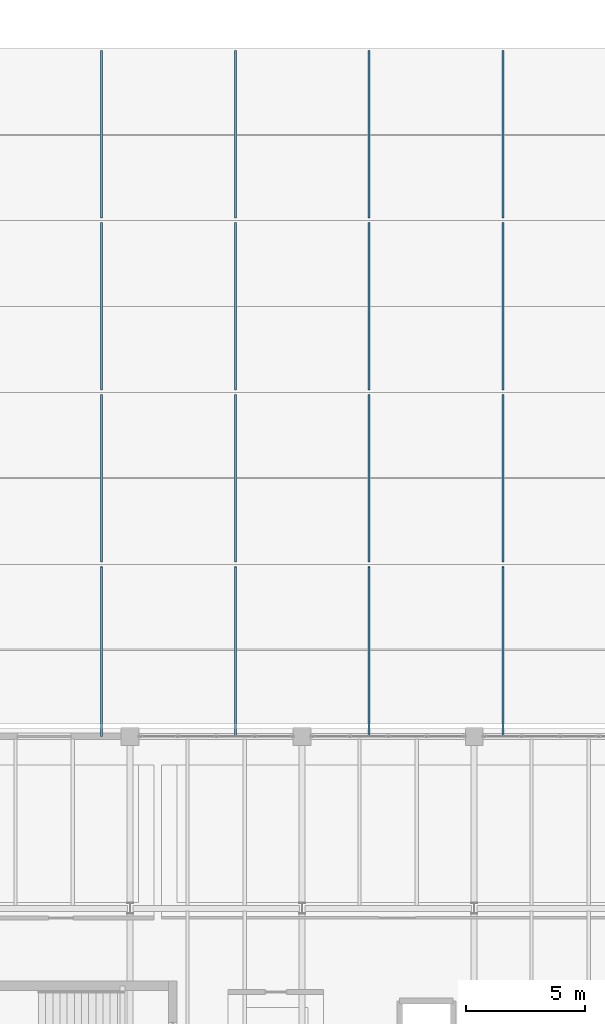
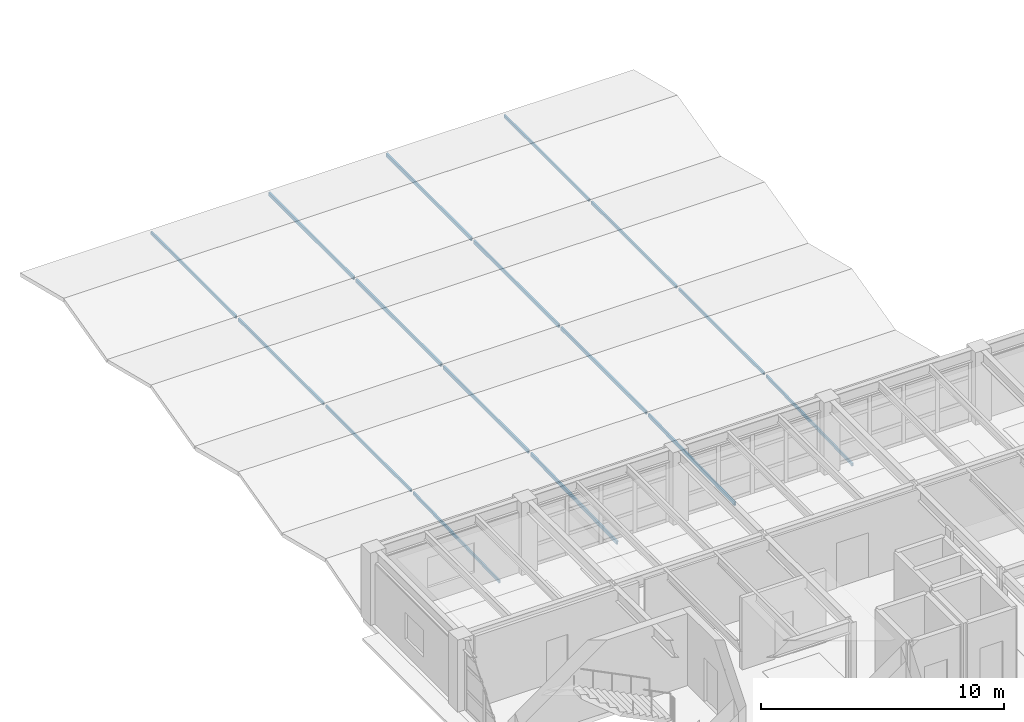
# One storey, part 20 of 48: 16 members.
"""IFC4 building model written with IfcOpenShell, lengths in metres."""

from ifc_helpers import new_model, si_unit, direction, frame, origin, origin_2d, place, context, subcontext, project, spatial, hollow_rectangle, extrude, material, material_profile, profile_set, type_object, element, save


model = new_model("IFC4")

# Units and contexts
model_context = context("Model", 3, precision=1e-05, world=origin(), true_north=direction((0.0, 1.0)))
body_context = subcontext(model_context, "Body", "Model", "MODEL_VIEW")
ifc_project = project(units=[si_unit("LENGTHUNIT", "METRE"), si_unit("AREAUNIT", "SQUARE_METRE"), si_unit("VOLUMEUNIT", "CUBIC_METRE"), si_unit("PLANEANGLEUNIT", "RADIAN"), si_unit("MASSUNIT", "GRAM", prefix="KILO")], contexts=[model_context])

# Site, building, storey
site_placement = place(None, origin())
site = spatial("IfcSite", under=ifc_project, at=site_placement, CompositionType="ELEMENT")
building_placement = place(site_placement, origin())
building = spatial("IfcBuilding", under=site, at=building_placement, Name="Kandorven Conservatory and Botanical Research Centre", CompositionType="ELEMENT")
storey_placement = place(building_placement, frame((0.0, 0.0, 13.199951171875)))
storey = spatial("IfcBuildingStorey", under=building, at=storey_placement, Name="L03", CompositionType="ELEMENT", Elevation=13.199951171875)

# Members
ifc_material_1 = material(Name="Steel S355 (IS 2062 E350)", Category="steel")
ifc_material_profile_1 = material_profile(ifc_material_1, hollow_rectangle(XDim=0.080078125, YDim=0.179931640625, WallThickness=0.006103515625, at=origin_2d()))
ifc_profile_set_1 = profile_set([ifc_material_profile_1], Name="Steel S355 (IS 2062 E350)")
member_type_1 = type_object("IfcMemberType", Name="Mem_PR-01", PredefinedType="PURLIN", material=ifc_profile_set_1)
for number, where, z_axis, x_axis, name in (
    (1, (17.60009765625, 34.800048828125, -0.25), (0.0, 0.999745672509, 0.022551946672), (-1.0, 0.0, 0.0), "Auditorium roof purlin PR-01 bay 1-2"),
    (2, (23.199951171875, 34.800048828125, -0.25), (0.0, 0.999745672509, 0.022551946672), (-1.0, 0.0, 0.0), "Auditorium roof purlin PR-01 bay 1-3"),
):
    element("IfcMember", number, at=place(storey_placement, frame(where, z_axis=z_axis, x_axis=x_axis)), inside=storey, type_object=member_type_1, Name=name, PredefinedType="PURLIN", context=body_context, shape_type="SweptSolid", body=[
        extrude(hollow_rectangle(XDim=0.080078125, YDim=0.179931640625, WallThickness=0.006103515625, at=origin_2d()), origin(), (0.0, 0.0, 1.0), 7.1015625),
    ])
for number, where, z_axis, x_axis, name in (
    (3, (17.60009765625, 42.10009765625, -0.08984375), (0.0, 1.0, 0.0), (-1.0, 0.0, 0.0), "Auditorium roof purlin PR-01 bay 2-2"),
    (4, (23.199951171875, 42.10009765625, -0.08984375), (0.0, 1.0, 0.0), (-1.0, 0.0, 0.0), "Auditorium roof purlin PR-01 bay 2-3"),
    (5, (17.60009765625, 49.300048828125, -0.08984375), (0.0, 1.0, 0.0), (-1.0, 0.0, 0.0), "Auditorium roof purlin PR-01 bay 3-2"),
    (6, (23.199951171875, 49.300048828125, -0.08984375), (0.0, 1.0, 0.0), (-1.0, 0.0, 0.0), "Auditorium roof purlin PR-01 bay 3-3"),
    (7, (17.60009765625, 56.5, -0.08984375), (0.0, 1.0, 0.0), (-1.0, 0.0, 0.0), "Auditorium roof purlin PR-01 bay 4-2"),
    (8, (23.199951171875, 56.5, -0.08984375), (0.0, 1.0, 0.0), (-1.0, 0.0, 0.0), "Auditorium roof purlin PR-01 bay 4-3"),
):
    element("IfcMember", number, at=place(storey_placement, frame(where, z_axis=z_axis, x_axis=x_axis)), inside=storey, type_object=member_type_1, Name=name, PredefinedType="PURLIN", context=body_context, shape_type="SweptSolid", body=[
        extrude(hollow_rectangle(XDim=0.080078125, YDim=0.179931640625, WallThickness=0.006103515625, at=origin_2d()), origin(), (0.0, 0.0, 1.0), 7.0),
    ])
ifc_material_2 = material(Name="Steel S355 (IS 2062 E350)", Category="steel")
ifc_material_profile_2 = material_profile(ifc_material_2, hollow_rectangle(XDim=0.074951171875, YDim=0.14990234375, WallThickness=0.006103515625, at=origin_2d()))
ifc_profile_set_2 = profile_set([ifc_material_profile_2], Name="Steel S355 (IS 2062 E350)")
member_type_2 = type_object("IfcMemberType", Name="Mem_PR-02", PredefinedType="PURLIN", material=ifc_profile_set_2)
for number, where, z_axis, x_axis, name in (
    (9, (12.0, 34.800048828125, -0.25), (0.0, 0.999745672509, 0.022551946672), (-1.0, 0.0, 0.0), "Auditorium roof purlin PR-02 bay 1-1"),
    (10, (28.800048828125, 34.800048828125, -0.25), (0.0, 0.999745672509, 0.022551946672), (-1.0, 0.0, 0.0), "Auditorium roof purlin PR-02 bay 1-4"),
):
    element("IfcMember", number, at=place(storey_placement, frame(where, z_axis=z_axis, x_axis=x_axis)), inside=storey, type_object=member_type_2, Name=name, PredefinedType="PURLIN", context=body_context, shape_type="SweptSolid", body=[
        extrude(hollow_rectangle(XDim=0.074951171875, YDim=0.14990234375, WallThickness=0.006103515625, at=origin_2d()), origin(), (0.0, 0.0, 1.0), 7.1015625),
    ])
for number, where, z_axis, x_axis, name in (
    (11, (12.0, 42.10009765625, -0.08984375), (0.0, 1.0, 0.0), (-1.0, 0.0, 0.0), "Auditorium roof purlin PR-02 bay 2-1"),
    (12, (28.800048828125, 42.10009765625, -0.08984375), (0.0, 1.0, 0.0), (-1.0, 0.0, 0.0), "Auditorium roof purlin PR-02 bay 2-4"),
    (13, (12.0, 49.300048828125, -0.08984375), (0.0, 1.0, 0.0), (-1.0, 0.0, 0.0), "Auditorium roof purlin PR-02 bay 3-1"),
    (14, (28.800048828125, 49.300048828125, -0.08984375), (0.0, 1.0, 0.0), (-1.0, 0.0, 0.0), "Auditorium roof purlin PR-02 bay 3-4"),
    (15, (12.0, 56.5, -0.08984375), (0.0, 1.0, 0.0), (-1.0, 0.0, 0.0), "Auditorium roof purlin PR-02 bay 4-1"),
    (16, (28.800048828125, 56.5, -0.08984375), (0.0, 1.0, 0.0), (-1.0, 0.0, 0.0), "Auditorium roof purlin PR-02 bay 4-4"),
):
    element("IfcMember", number, at=place(storey_placement, frame(where, z_axis=z_axis, x_axis=x_axis)), inside=storey, type_object=member_type_2, Name=name, PredefinedType="PURLIN", context=body_context, shape_type="SweptSolid", body=[
        extrude(hollow_rectangle(XDim=0.074951171875, YDim=0.14990234375, WallThickness=0.006103515625, at=origin_2d()), origin(), (0.0, 0.0, 1.0), 7.0),
    ])

save(model, "model.ifc")
